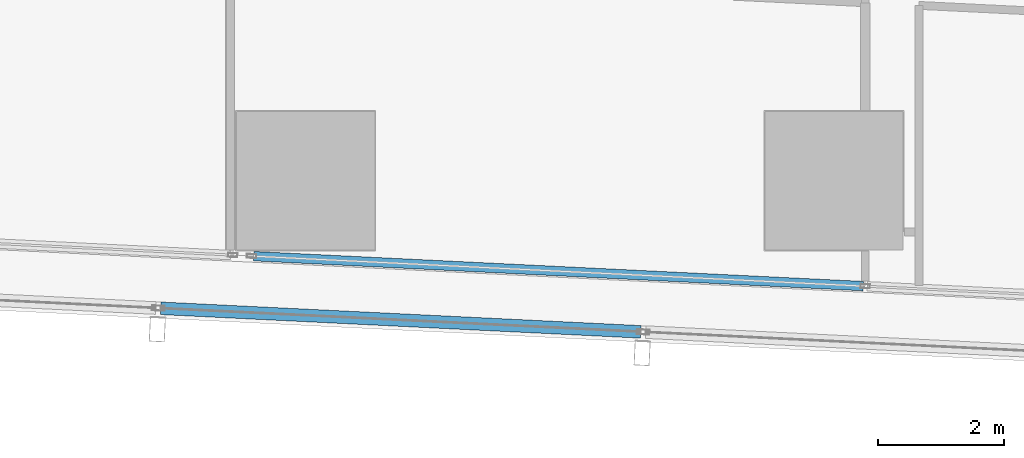
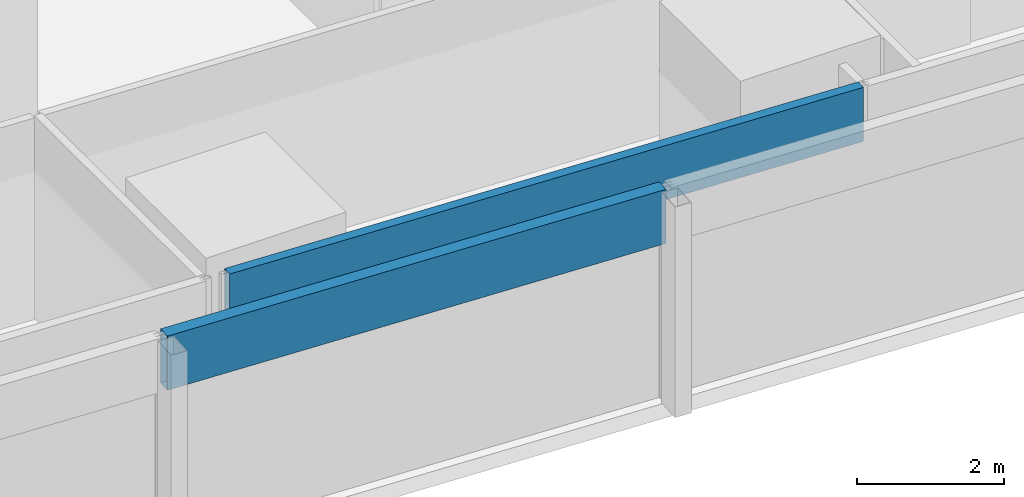
# One storey, part 3 of 45: 2 members, 2 elements without a shape of their own.
"""IFC4 building model written with IfcOpenShell, lengths in metres."""

from ifc_helpers import new_model, si_unit, direction, frame, origin, origin_2d, place, context, subcontext, project, spatial, hollow_rectangle, extrude, material, material_profile, profile_set, type_object, element, aggregate, save


model = new_model("IFC4")

# Units and contexts
model_context = context("Model", 3, precision=1e-05, world=origin(), true_north=direction((0.0, 1.0)))
body_context = subcontext(model_context, "Body", "Model", "MODEL_VIEW")
ifc_project = project(units=[si_unit("LENGTHUNIT", "METRE"), si_unit("AREAUNIT", "SQUARE_METRE"), si_unit("VOLUMEUNIT", "CUBIC_METRE"), si_unit("PLANEANGLEUNIT", "RADIAN"), si_unit("MASSUNIT", "GRAM", prefix="KILO")], contexts=[model_context])

# Site, building, storey
site_placement = place(None, origin())
site = spatial("IfcSite", under=ifc_project, at=site_placement, CompositionType="ELEMENT")
building_placement = place(site_placement, origin())
building = spatial("IfcBuilding", under=site, at=building_placement, Name="Rekha Terrace Tower", CompositionType="ELEMENT")
storey_placement = place(building_placement, frame((0.0, 0.0, 32.89990234375)))
storey = spatial("IfcBuildingStorey", under=building, at=storey_placement, Name="L07", CompositionType="ELEMENT", Elevation=32.89990234375)

# Curtain wall, member
ifc_material_1 = material(Name="Aluminium framing", Category="aluminium")
curtain_wall_type_1 = type_object("IfcCurtainWallType", Name="CW1 double skin inner glazing", PredefinedType="USERDEFINED", material=ifc_material_1)
curtain_wall_1_placement = place(storey_placement, origin())
curtain_wall_1 = element("IfcCurtainWall", 1, at=curtain_wall_1_placement, inside=storey, type_object=curtain_wall_type_1, Name="CW1 double skin inner glazing", ObjectType="DOUBLE SKIN INNER GLAZING", PredefinedType="USERDEFINED")
ifc_material_2 = material(Name="Insulated aluminium spandrel box", Category="aluminium")
ifc_material_profile_1 = material_profile(ifc_material_2, hollow_rectangle(XDim=0.14990234375, YDim=0.89990234375, WallThickness=0.0029296875, at=origin_2d()), Name="AL SPANDREL BOX 150x900")
ifc_profile_set_1 = profile_set([ifc_material_profile_1], Name="Insulated aluminium spandrel box")
member_type_1 = type_object("IfcMemberType", Name="CW1 spandrel transom 150 x 900", PredefinedType="USERDEFINED", material=ifc_profile_set_1)
member_1_placement = place(storey_placement, frame((15.973388671875, 7.200927734375, 3.050048828125), z_axis=(0.99879655824, -0.049045236754, 0.0), x_axis=(0.049045236754, 0.99879655824, 0.0)))
member_1 = element("IfcMember", 2, at=member_1_placement, type_object=member_type_1, Name="CW1 spandrel transom 1", ObjectType="TRANSOM", PredefinedType="USERDEFINED", context=body_context, shape_type="SweptSolid", body=[
    extrude(hollow_rectangle(XDim=0.14990234375, YDim=0.89990234375, WallThickness=0.0029296875, at=origin_2d()), origin(), (0.0, 0.0, 1.0), 9.701904296875),
])
aggregate(curtain_wall_1, [member_1])

curtain_wall_type_2 = type_object("IfcCurtainWallType", Name="CW2 double skin outer glazing", PredefinedType="USERDEFINED", material=ifc_material_1)
curtain_wall_2_placement = place(storey_placement, origin())
curtain_wall_2 = element("IfcCurtainWall", 3, at=curtain_wall_2_placement, inside=storey, type_object=curtain_wall_type_2, Name="CW2 double skin outer glazing", ObjectType="DOUBLE SKIN OUTER GLAZING", PredefinedType="USERDEFINED")
ifc_material_profile_2 = material_profile(ifc_material_2, hollow_rectangle(XDim=0.199951171875, YDim=0.89990234375, WallThickness=0.0029296875, at=origin_2d()), Name="AL SPANDREL BOX 200x900")
ifc_profile_set_2 = profile_set([ifc_material_profile_2], Name="Insulated aluminium spandrel box")
member_type_2 = type_object("IfcMemberType", Name="CW2 spandrel transom 200 x 900", PredefinedType="USERDEFINED", material=ifc_profile_set_2)
member_2_placement = place(storey_placement, frame((14.499755859375, 6.372314453125, 3.050048828125), z_axis=(0.998796511558, -0.049046187417, 0.0), x_axis=(0.049046187417, 0.998796511558, 0.0)))
member_2 = element("IfcMember", 4, at=member_2_placement, type_object=member_type_2, Name="CW2 spandrel transom 2", ObjectType="TRANSOM", PredefinedType="USERDEFINED", context=body_context, shape_type="SweptSolid", body=[
    extrude(hollow_rectangle(XDim=0.199951171875, YDim=0.89990234375, WallThickness=0.0029296875, at=origin_2d()), origin(), (0.0, 0.0, 1.0), 7.635986328125),
])
aggregate(curtain_wall_2, [member_2])

save(model, "model.ifc")
